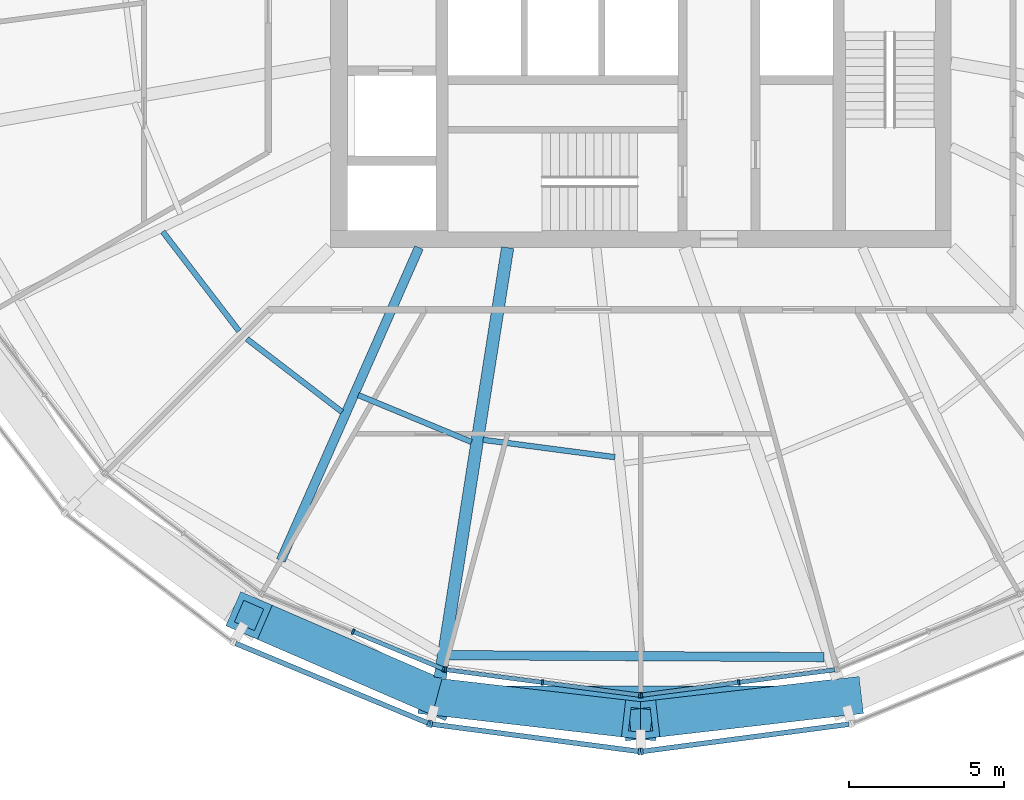
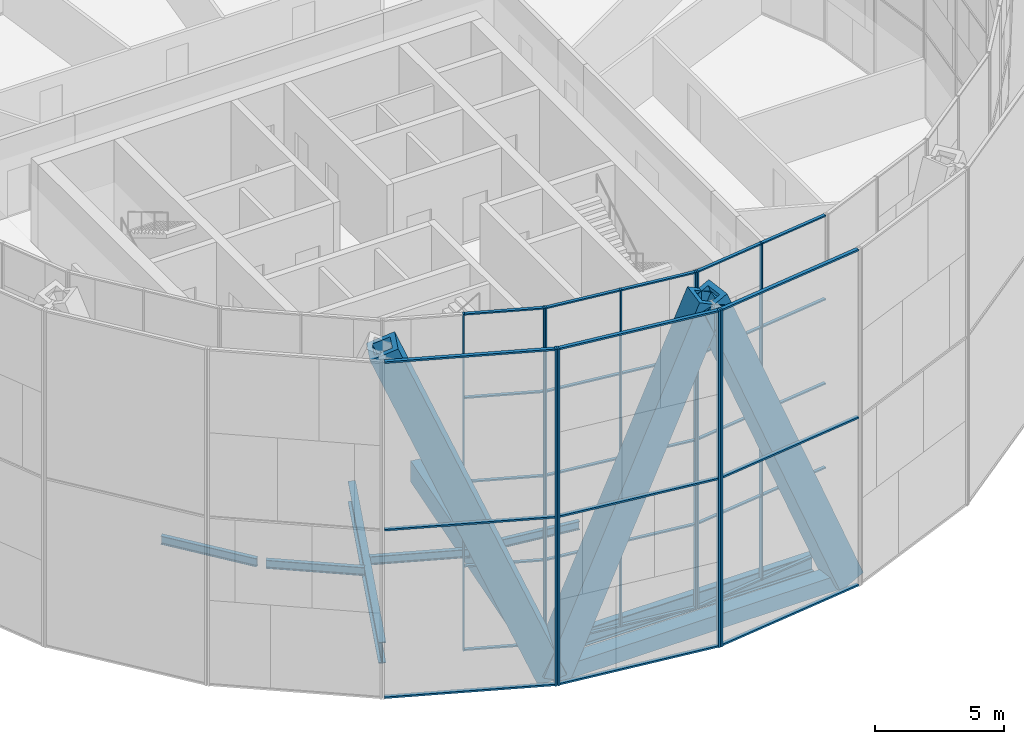
# One storey, part 2 of 28: 48 members, 8 beams, 6 elements without a shape of their own.
"""IFC4 building model written with IfcOpenShell, lengths in metres."""

from ifc_helpers import new_model, si_unit, direction, frame, origin, origin_2d, place, context, subcontext, project, spatial, rectangle, hollow_rectangle, i_section, extrude, material, material_profile, profile_set, type_object, element, aggregate, save


model = new_model("IFC4")

# Units and contexts
model_context = context("Model", 3, precision=1e-05, world=origin(), true_north=direction((0.0, 1.0)))
body_context = subcontext(model_context, "Body", "Model", "MODEL_VIEW")
ifc_project = project(units=[si_unit("LENGTHUNIT", "METRE"), si_unit("AREAUNIT", "SQUARE_METRE"), si_unit("VOLUMEUNIT", "CUBIC_METRE"), si_unit("PLANEANGLEUNIT", "RADIAN"), si_unit("MASSUNIT", "GRAM", prefix="KILO")], contexts=[model_context])

# Site, building, storey
site_placement = place(None, origin())
site = spatial("IfcSite", under=ifc_project, at=site_placement, CompositionType="ELEMENT")
building_placement = place(site_placement, origin())
building = spatial("IfcBuilding", under=site, at=building_placement, Name="Golbaran Civic Tower", CompositionType="ELEMENT")
storey_placement = place(building_placement, frame((0.0, 0.0, 134.0)))
storey = spatial("IfcBuildingStorey", under=building, at=storey_placement, Name="L32", CompositionType="ELEMENT", Elevation=134.0)

# Members
ifc_material_1 = material(Name="Steel S355", Category="steel")
ifc_material_profile_1 = material_profile(ifc_material_1, hollow_rectangle(XDim=1.199951171875, YDim=1.199951171875, WallThickness=0.219970703125, at=origin_2d()), Name="BOX 1200x1200x220")
ifc_profile_set_1 = profile_set([ifc_material_profile_1], Name="Steel S355")
member_type_1 = type_object("IfcMemberType", Name="DIAGRID DIAGONAL BOX 1200x1200x220", PredefinedType="BRACE", material=ifc_profile_set_1)
for number, where, z_axis, x_axis, name in (
    (1, (-6.55859375, -24.4765625, -0.7099609375), (0.37892043084, -0.043754138493, 0.92439433277), (0.114708322129, 0.993399215237, 0.0), "Diagonal D07-08R L32-L36"),
    (2, (-6.55859375, -24.4765625, -0.7099609375), (-0.350021010135, 0.151560578437, 0.924399634102), (-0.397353161289, -0.917665769882, 0.0), "Diagonal D07-08L L32-L36"),
    (3, (6.55859375, -24.4765625, -0.7099609375), (-0.37892043084, -0.043754138493, 0.92439433277), (0.114708322129, -0.993399215237, 0.0), "Diagonal D07-09L L32-L36"),
):
    element("IfcMember", number, at=place(storey_placement, frame(where, z_axis=z_axis, x_axis=x_axis)), inside=storey, type_object=member_type_1, Name=name, PredefinedType="BRACE", context=body_context, shape_type="SweptSolid", body=[
        extrude(hollow_rectangle(XDim=1.199951171875, YDim=1.199951171875, WallThickness=0.219970703125, at=origin_2d()), origin(), (0.0, 0.0, 1.0), 17.30859375),
    ])

# Beams
ifc_material_profile_2 = material_profile(ifc_material_1, hollow_rectangle(XDim=0.699951171875, YDim=0.699951171875, WallThickness=0.080078125, at=origin_2d()), Name="BOX 700x700x80")
ifc_profile_set_2 = profile_set([ifc_material_profile_2], Name="Steel S355")
beam_type_1 = type_object("IfcBeamType", Name="DIAGRID RING TIE BOX 700x700x80", PredefinedType="BEAM", material=ifc_profile_set_2)
beam_1_placement = place(storey_placement, frame((-6.55859375, -24.4765625, -0.7099609375), z_axis=(1.0, 0.0, 0.0), x_axis=(0.0, 1.0, 0.0)))
element("IfcBeam", 4, at=beam_1_placement, inside=storey, type_object=beam_type_1, Name="Ring tie 255.00 L32", PredefinedType="BEAM", context=body_context, shape_type="SweptSolid", body=[
    extrude(hollow_rectangle(XDim=0.699951171875, YDim=0.699951171875, WallThickness=0.080078125, at=origin_2d()), origin(), (0.0, 0.0, 1.0), 13.1171875),
])
ifc_material_profile_3 = material_profile(ifc_material_1, i_section(OverallWidth=0.300048828125, OverallDepth=0.800048828125, WebThickness=0.017578125, FlangeThickness=0.032958984375, FilletRadius=0.030029296875, at=origin_2d()), Name="HEB 800")
ifc_profile_set_3 = profile_set([ifc_material_profile_3], Name="Steel S355")
beam_type_2 = type_object("IfcBeamType", Name="EDGE BEAM HEB 800", PredefinedType="BEAM", material=ifc_profile_set_3)
beam_2_placement = place(storey_placement, frame((-6.165283203125, -23.1318359375, -0.60009765625), z_axis=(0.999986297287, -0.005235001233, 0.0), x_axis=(0.005235001233, 0.999986297287, 0.0)))
element("IfcBeam", 5, at=beam_2_placement, inside=storey, type_object=beam_type_2, Name="Edge beam 255.00 L32", PredefinedType="BEAM", context=body_context, shape_type="SweptSolid", body=[
    extrude(i_section(OverallWidth=0.300048828125, OverallDepth=0.800048828125, WebThickness=0.017578125, FlangeThickness=0.032958984375, FilletRadius=0.030029296875, at=origin_2d()), origin(), (0.0, 0.0, 1.0), 12.078857421875),
])
ifc_material_profile_4 = material_profile(ifc_material_1, i_section(OverallWidth=0.179931640625, OverallDepth=0.39990234375, WebThickness=0.008544921875, FlangeThickness=0.013427734375, FilletRadius=0.02099609375, at=origin_2d()), Name="IPE 400")
ifc_profile_set_4 = profile_set([ifc_material_profile_4], Name="Steel S355")
beam_type_3 = type_object("IfcBeamType", Name="FLOOR INFILL BEAM IPE 400", PredefinedType="BEAM", material=ifc_profile_set_4)
beam_3_placement = place(storey_placement, frame((-15.39697265625, -9.4873046875, -0.39990234375), z_axis=(0.608777144905, -0.793341280812, 0.0), x_axis=(0.793341280812, 0.608777144905, 0.0)))
element("IfcBeam", 6, at=beam_3_placement, inside=storey, type_object=beam_type_3, Name="Infill beam 217.50 L32", PredefinedType="BEAM", context=body_context, shape_type="SweptSolid", body=[
    extrude(i_section(OverallWidth=0.179931640625, OverallDepth=0.39990234375, WebThickness=0.008544921875, FlangeThickness=0.013427734375, FilletRadius=0.02099609375, at=origin_2d()), origin(), (0.0, 0.0, 1.0), 4.033203125),
])
beam_4_placement = place(storey_placement, frame((-12.687744140625, -12.942138671875, -0.39990234375), z_axis=(0.793370357991, -0.608739250469, 0.0), x_axis=(0.608739250469, 0.793370357991, 0.0)))
element("IfcBeam", 7, at=beam_4_placement, inside=storey, type_object=beam_type_3, Name="Infill beam 232.50 L32", PredefinedType="BEAM", context=body_context, shape_type="SweptSolid", body=[
    extrude(i_section(OverallWidth=0.179931640625, OverallDepth=0.39990234375, WebThickness=0.008544921875, FlangeThickness=0.013427734375, FilletRadius=0.02099609375, at=origin_2d()), origin(), (0.0, 0.0, 1.0), 3.86376953125),
])
beam_5_placement = place(storey_placement, frame((-9.0986328125, -14.75146484375, -0.39990234375), z_axis=(0.923887198212, -0.382664925203, 0.0), x_axis=(0.382664925203, 0.923887198212, 0.0)))
element("IfcBeam", 8, at=beam_5_placement, inside=storey, type_object=beam_type_3, Name="Infill beam 247.50 L32", PredefinedType="BEAM", context=body_context, shape_type="SweptSolid", body=[
    extrude(i_section(OverallWidth=0.179931640625, OverallDepth=0.39990234375, WebThickness=0.008544921875, FlangeThickness=0.013427734375, FilletRadius=0.02099609375, at=origin_2d()), origin(), (0.0, 0.0, 1.0), 3.947998046875),
])
beam_6_placement = place(storey_placement, frame((-5.075927734375, -16.193115234375, -0.39990234375), z_axis=(0.991440524294, -0.130559131381, 0.0), x_axis=(0.130559131381, 0.991440524294, 0.0)))
element("IfcBeam", 9, at=beam_6_placement, inside=storey, type_object=beam_type_3, Name="Infill beam 262.50 L32", PredefinedType="BEAM", context=body_context, shape_type="SweptSolid", body=[
    extrude(i_section(OverallWidth=0.179931640625, OverallDepth=0.39990234375, WebThickness=0.008544921875, FlangeThickness=0.013427734375, FilletRadius=0.02099609375, at=origin_2d()), origin(), (0.0, 0.0, 1.0), 4.285888671875),
])

# Curtain wall, members
ifc_material_2 = material(Name="Aluminium and glass", Category="aluminium")
curtain_wall_type_1 = type_object("IfcCurtainWallType", Name="INNER SKIN CURTAIN WALL", PredefinedType="NOTDEFINED", material=ifc_material_2)
curtain_wall_1_placement = place(storey_placement, origin())
curtain_wall_1 = element("IfcCurtainWall", 10, at=curtain_wall_1_placement, inside=storey, type_object=curtain_wall_type_1, Name="Inner skin L32 facet 17 CW1", ObjectType="INNER SKIN", PredefinedType="USERDEFINED")
ifc_material_3 = material(Name="Aluminium", Category="aluminium")
ifc_material_profile_5 = material_profile(ifc_material_3, rectangle(XDim=0.179931640625, YDim=0.06494140625, at=origin_2d()), Name="INNER SKIN CURTAIN WALL MULLION")
ifc_profile_set_5 = profile_set([ifc_material_profile_5], Name="Aluminium")
member_type_2 = type_object("IfcMemberType", Name="INNER SKIN CURTAIN WALL MULLION", PredefinedType="MULLION", material=ifc_profile_set_5)
member_1_placement = place(storey_placement, frame((-9.26708984375, -22.372802734375, 0.0), z_axis=(0.0, 0.0, 1.0), x_axis=(0.38268343243, 0.923879532485, 0.0)))
member_1 = element("IfcMember", 11, at=member_1_placement, type_object=member_type_2, Name="CW1 mullion 2", PredefinedType="MULLION", context=body_context, shape_type="SweptSolid", body=[
    extrude(rectangle(XDim=0.179931640625, YDim=0.06494140625, at=origin_2d()), origin(), (0.0, 0.0, 1.0), 16.0),
])
member_2_placement = place(storey_placement, frame((-6.3515625, -23.580322265625, 0.0), z_axis=(0.0, 0.0, 1.0), x_axis=(0.38268343243, 0.923879532485, 0.0)))
member_2 = element("IfcMember", 12, at=member_2_placement, type_object=member_type_2, Name="CW1 mullion 3", PredefinedType="MULLION", context=body_context, shape_type="SweptSolid", body=[
    extrude(rectangle(XDim=0.179931640625, YDim=0.06494140625, at=origin_2d()), origin(), (0.0, 0.0, 1.0), 16.0),
])

curtain_wall_2_placement = place(storey_placement, origin())
curtain_wall_2 = element("IfcCurtainWall", 13, at=curtain_wall_2_placement, inside=storey, type_object=curtain_wall_type_1, Name="Inner skin L32 facet 18 CW1", ObjectType="INNER SKIN", PredefinedType="USERDEFINED")
member_3_placement = place(storey_placement, frame((-6.28955078125, -23.596923828125, 0.0), z_axis=(0.0, 0.0, 1.0), x_axis=(0.130526192237, 0.991444861372, 0.0)))
member_3 = element("IfcMember", 14, at=member_3_placement, type_object=member_type_2, Name="CW1 mullion 1", PredefinedType="MULLION", context=body_context, shape_type="SweptSolid", body=[
    extrude(rectangle(XDim=0.179931640625, YDim=0.06494140625, at=origin_2d()), origin(), (0.0, 0.0, 1.0), 16.0),
])
member_4_placement = place(storey_placement, frame((-3.160888671875, -24.0087890625, 0.0), z_axis=(0.0, 0.0, 1.0), x_axis=(0.130526192237, 0.991444861372, 0.0)))
member_4 = element("IfcMember", 15, at=member_4_placement, type_object=member_type_2, Name="CW1 mullion 2", PredefinedType="MULLION", context=body_context, shape_type="SweptSolid", body=[
    extrude(rectangle(XDim=0.179931640625, YDim=0.06494140625, at=origin_2d()), origin(), (0.0, 0.0, 1.0), 16.0),
])
member_5_placement = place(storey_placement, frame((-0.0322265625, -24.420654296875, 0.0), z_axis=(0.0, 0.0, 1.0), x_axis=(0.130526192237, 0.991444861372, 0.0)))
member_5 = element("IfcMember", 16, at=member_5_placement, type_object=member_type_2, Name="CW1 mullion 3", PredefinedType="MULLION", context=body_context, shape_type="SweptSolid", body=[
    extrude(rectangle(XDim=0.179931640625, YDim=0.06494140625, at=origin_2d()), origin(), (0.0, 0.0, 1.0), 16.0),
])

curtain_wall_3_placement = place(storey_placement, origin())
curtain_wall_3 = element("IfcCurtainWall", 17, at=curtain_wall_3_placement, inside=storey, type_object=curtain_wall_type_1, Name="Inner skin L32 facet 19 CW1", ObjectType="INNER SKIN", PredefinedType="USERDEFINED")
member_6_placement = place(storey_placement, frame((0.0322265625, -24.420654296875, 0.0), z_axis=(0.0, 0.0, 1.0), x_axis=(-0.130526192237, 0.991444861372, 0.0)))
member_6 = element("IfcMember", 18, at=member_6_placement, type_object=member_type_2, Name="CW1 mullion 1", PredefinedType="MULLION", context=body_context, shape_type="SweptSolid", body=[
    extrude(rectangle(XDim=0.179931640625, YDim=0.06494140625, at=origin_2d()), origin(), (0.0, 0.0, 1.0), 16.0),
])
member_7_placement = place(storey_placement, frame((3.160888671875, -24.0087890625, 0.0), z_axis=(0.0, 0.0, 1.0), x_axis=(-0.130526192237, 0.991444861372, 0.0)))
member_7 = element("IfcMember", 19, at=member_7_placement, type_object=member_type_2, Name="CW1 mullion 2", PredefinedType="MULLION", context=body_context, shape_type="SweptSolid", body=[
    extrude(rectangle(XDim=0.179931640625, YDim=0.06494140625, at=origin_2d()), origin(), (0.0, 0.0, 1.0), 16.0),
])

# Member
ifc_material_profile_6 = material_profile(ifc_material_3, rectangle(XDim=0.139892578125, YDim=0.06494140625, at=origin_2d()), Name="INNER SKIN CURTAIN WALL TRANSOM")
ifc_profile_set_6 = profile_set([ifc_material_profile_6], Name="Aluminium")
member_type_3 = type_object("IfcMemberType", Name="INNER SKIN CURTAIN WALL TRANSOM", PredefinedType="USERDEFINED", material=ifc_profile_set_6)
member_8_placement = place(storey_placement, frame((-9.237060546875, -22.38525390625, 0.032470703125), z_axis=(0.923897456466, -0.382640157244, 0.0), x_axis=(0.382640157244, 0.923897456466, 0.0)))
member_8 = element("IfcMember", 20, at=member_8_placement, type_object=member_type_3, Name="CW1 transom 2.1", ObjectType="TRANSOM", PredefinedType="USERDEFINED", context=body_context, shape_type="SweptSolid", body=[
    extrude(rectangle(XDim=0.139892578125, YDim=0.06494140625, at=origin_2d()), origin(), (0.0, 0.0, 1.0), 3.090576171875),
])

member_9_placement = place(storey_placement, frame((-9.237060546875, -22.38525390625, 4.0), z_axis=(0.923897456466, -0.382640157244, 0.0), x_axis=(0.382640157244, 0.923897456466, 0.0)))
member_9 = element("IfcMember", 21, at=member_9_placement, type_object=member_type_3, Name="CW1 transom 2.2", ObjectType="TRANSOM", PredefinedType="USERDEFINED", context=body_context, shape_type="SweptSolid", body=[
    extrude(rectangle(XDim=0.139892578125, YDim=0.06494140625, at=origin_2d()), origin(), (0.0, 0.0, 1.0), 3.090576171875),
])

member_10_placement = place(storey_placement, frame((-9.237060546875, -22.38525390625, 8.0), z_axis=(0.923897456466, -0.382640157244, 0.0), x_axis=(0.382640157244, 0.923897456466, 0.0)))
member_10 = element("IfcMember", 22, at=member_10_placement, type_object=member_type_3, Name="CW1 transom 2.3", ObjectType="TRANSOM", PredefinedType="USERDEFINED", context=body_context, shape_type="SweptSolid", body=[
    extrude(rectangle(XDim=0.139892578125, YDim=0.06494140625, at=origin_2d()), origin(), (0.0, 0.0, 1.0), 3.090576171875),
])

member_11_placement = place(storey_placement, frame((-9.237060546875, -22.38525390625, 12.0), z_axis=(0.923897456466, -0.382640157244, 0.0), x_axis=(0.382640157244, 0.923897456466, 0.0)))
member_11 = element("IfcMember", 23, at=member_11_placement, type_object=member_type_3, Name="CW1 transom 2.4", ObjectType="TRANSOM", PredefinedType="USERDEFINED", context=body_context, shape_type="SweptSolid", body=[
    extrude(rectangle(XDim=0.139892578125, YDim=0.06494140625, at=origin_2d()), origin(), (0.0, 0.0, 1.0), 3.090576171875),
])

member_12_placement = place(storey_placement, frame((-9.237060546875, -22.38525390625, 15.967529296875), z_axis=(0.923897456466, -0.382640157244, 0.0), x_axis=(0.382640157244, 0.923897456466, 0.0)))
member_12 = element("IfcMember", 24, at=member_12_placement, type_object=member_type_3, Name="CW1 transom 2.5", ObjectType="TRANSOM", PredefinedType="USERDEFINED", context=body_context, shape_type="SweptSolid", body=[
    extrude(rectangle(XDim=0.139892578125, YDim=0.06494140625, at=origin_2d()), origin(), (0.0, 0.0, 1.0), 3.090576171875),
])

aggregate(curtain_wall_1, [member_1, member_2, member_8, member_9, member_10, member_11, member_12])

member_13_placement = place(storey_placement, frame((-6.25732421875, -23.601318359375, 0.032470703125), z_axis=(0.991448648373, -0.13049742388, 0.0), x_axis=(0.13049742388, 0.991448648373, 0.0)))
member_13 = element("IfcMember", 25, at=member_13_placement, type_object=member_type_3, Name="CW1 transom 1.1", ObjectType="TRANSOM", PredefinedType="USERDEFINED", context=body_context, shape_type="SweptSolid", body=[
    extrude(rectangle(XDim=0.139892578125, YDim=0.06494140625, at=origin_2d()), origin(), (0.0, 0.0, 1.0), 3.090576171875),
])

member_14_placement = place(storey_placement, frame((-6.25732421875, -23.601318359375, 4.0), z_axis=(0.991448648373, -0.13049742388, 0.0), x_axis=(0.13049742388, 0.991448648373, 0.0)))
member_14 = element("IfcMember", 26, at=member_14_placement, type_object=member_type_3, Name="CW1 transom 1.2", ObjectType="TRANSOM", PredefinedType="USERDEFINED", context=body_context, shape_type="SweptSolid", body=[
    extrude(rectangle(XDim=0.139892578125, YDim=0.06494140625, at=origin_2d()), origin(), (0.0, 0.0, 1.0), 3.090576171875),
])

member_15_placement = place(storey_placement, frame((-6.25732421875, -23.601318359375, 8.0), z_axis=(0.991448648373, -0.13049742388, 0.0), x_axis=(0.13049742388, 0.991448648373, 0.0)))
member_15 = element("IfcMember", 27, at=member_15_placement, type_object=member_type_3, Name="CW1 transom 1.3", ObjectType="TRANSOM", PredefinedType="USERDEFINED", context=body_context, shape_type="SweptSolid", body=[
    extrude(rectangle(XDim=0.139892578125, YDim=0.06494140625, at=origin_2d()), origin(), (0.0, 0.0, 1.0), 3.090576171875),
])

member_16_placement = place(storey_placement, frame((-6.25732421875, -23.601318359375, 12.0), z_axis=(0.991448648373, -0.13049742388, 0.0), x_axis=(0.13049742388, 0.991448648373, 0.0)))
member_16 = element("IfcMember", 28, at=member_16_placement, type_object=member_type_3, Name="CW1 transom 1.4", ObjectType="TRANSOM", PredefinedType="USERDEFINED", context=body_context, shape_type="SweptSolid", body=[
    extrude(rectangle(XDim=0.139892578125, YDim=0.06494140625, at=origin_2d()), origin(), (0.0, 0.0, 1.0), 3.090576171875),
])

member_17_placement = place(storey_placement, frame((-6.25732421875, -23.601318359375, 15.967529296875), z_axis=(0.991448648373, -0.13049742388, 0.0), x_axis=(0.13049742388, 0.991448648373, 0.0)))
member_17 = element("IfcMember", 29, at=member_17_placement, type_object=member_type_3, Name="CW1 transom 1.5", ObjectType="TRANSOM", PredefinedType="USERDEFINED", context=body_context, shape_type="SweptSolid", body=[
    extrude(rectangle(XDim=0.139892578125, YDim=0.06494140625, at=origin_2d()), origin(), (0.0, 0.0, 1.0), 3.090576171875),
])

member_18_placement = place(storey_placement, frame((-3.128662109375, -24.01318359375, 0.032470703125), z_axis=(0.991448648373, -0.13049742388, 0.0), x_axis=(0.13049742388, 0.991448648373, 0.0)))
member_18 = element("IfcMember", 30, at=member_18_placement, type_object=member_type_3, Name="CW1 transom 2.1", ObjectType="TRANSOM", PredefinedType="USERDEFINED", context=body_context, shape_type="SweptSolid", body=[
    extrude(rectangle(XDim=0.139892578125, YDim=0.06494140625, at=origin_2d()), origin(), (0.0, 0.0, 1.0), 3.090576171875),
])

member_19_placement = place(storey_placement, frame((-3.128662109375, -24.01318359375, 4.0), z_axis=(0.991448648373, -0.13049742388, 0.0), x_axis=(0.13049742388, 0.991448648373, 0.0)))
member_19 = element("IfcMember", 31, at=member_19_placement, type_object=member_type_3, Name="CW1 transom 2.2", ObjectType="TRANSOM", PredefinedType="USERDEFINED", context=body_context, shape_type="SweptSolid", body=[
    extrude(rectangle(XDim=0.139892578125, YDim=0.06494140625, at=origin_2d()), origin(), (0.0, 0.0, 1.0), 3.090576171875),
])

member_20_placement = place(storey_placement, frame((-3.128662109375, -24.01318359375, 8.0), z_axis=(0.991448648373, -0.13049742388, 0.0), x_axis=(0.13049742388, 0.991448648373, 0.0)))
member_20 = element("IfcMember", 32, at=member_20_placement, type_object=member_type_3, Name="CW1 transom 2.3", ObjectType="TRANSOM", PredefinedType="USERDEFINED", context=body_context, shape_type="SweptSolid", body=[
    extrude(rectangle(XDim=0.139892578125, YDim=0.06494140625, at=origin_2d()), origin(), (0.0, 0.0, 1.0), 3.090576171875),
])

member_21_placement = place(storey_placement, frame((-3.128662109375, -24.01318359375, 12.0), z_axis=(0.991448648373, -0.13049742388, 0.0), x_axis=(0.13049742388, 0.991448648373, 0.0)))
member_21 = element("IfcMember", 33, at=member_21_placement, type_object=member_type_3, Name="CW1 transom 2.4", ObjectType="TRANSOM", PredefinedType="USERDEFINED", context=body_context, shape_type="SweptSolid", body=[
    extrude(rectangle(XDim=0.139892578125, YDim=0.06494140625, at=origin_2d()), origin(), (0.0, 0.0, 1.0), 3.090576171875),
])

member_22_placement = place(storey_placement, frame((-3.128662109375, -24.01318359375, 15.967529296875), z_axis=(0.991448648373, -0.13049742388, 0.0), x_axis=(0.13049742388, 0.991448648373, 0.0)))
member_22 = element("IfcMember", 34, at=member_22_placement, type_object=member_type_3, Name="CW1 transom 2.5", ObjectType="TRANSOM", PredefinedType="USERDEFINED", context=body_context, shape_type="SweptSolid", body=[
    extrude(rectangle(XDim=0.139892578125, YDim=0.06494140625, at=origin_2d()), origin(), (0.0, 0.0, 1.0), 3.090576171875),
])

aggregate(curtain_wall_2, [member_3, member_4, member_5, member_13, member_14, member_15, member_16, member_17, member_18, member_19, member_20, member_21, member_22])

member_23_placement = place(storey_placement, frame((0.064453125, -24.41650390625, 0.032470703125), z_axis=(0.991448648373, 0.13049742388, 0.0), x_axis=(-0.13049742388, 0.991448648373, 0.0)))
member_23 = element("IfcMember", 35, at=member_23_placement, type_object=member_type_3, Name="CW1 transom 1.1", ObjectType="TRANSOM", PredefinedType="USERDEFINED", context=body_context, shape_type="SweptSolid", body=[
    extrude(rectangle(XDim=0.139892578125, YDim=0.06494140625, at=origin_2d()), origin(), (0.0, 0.0, 1.0), 3.090576171875),
])

member_24_placement = place(storey_placement, frame((0.064453125, -24.41650390625, 4.0), z_axis=(0.991448648373, 0.13049742388, 0.0), x_axis=(-0.13049742388, 0.991448648373, 0.0)))
member_24 = element("IfcMember", 36, at=member_24_placement, type_object=member_type_3, Name="CW1 transom 1.2", ObjectType="TRANSOM", PredefinedType="USERDEFINED", context=body_context, shape_type="SweptSolid", body=[
    extrude(rectangle(XDim=0.139892578125, YDim=0.06494140625, at=origin_2d()), origin(), (0.0, 0.0, 1.0), 3.090576171875),
])

member_25_placement = place(storey_placement, frame((0.064453125, -24.41650390625, 8.0), z_axis=(0.991448648373, 0.13049742388, 0.0), x_axis=(-0.13049742388, 0.991448648373, 0.0)))
member_25 = element("IfcMember", 37, at=member_25_placement, type_object=member_type_3, Name="CW1 transom 1.3", ObjectType="TRANSOM", PredefinedType="USERDEFINED", context=body_context, shape_type="SweptSolid", body=[
    extrude(rectangle(XDim=0.139892578125, YDim=0.06494140625, at=origin_2d()), origin(), (0.0, 0.0, 1.0), 3.090576171875),
])

member_26_placement = place(storey_placement, frame((0.064453125, -24.41650390625, 12.0), z_axis=(0.991448648373, 0.13049742388, 0.0), x_axis=(-0.13049742388, 0.991448648373, 0.0)))
member_26 = element("IfcMember", 38, at=member_26_placement, type_object=member_type_3, Name="CW1 transom 1.4", ObjectType="TRANSOM", PredefinedType="USERDEFINED", context=body_context, shape_type="SweptSolid", body=[
    extrude(rectangle(XDim=0.139892578125, YDim=0.06494140625, at=origin_2d()), origin(), (0.0, 0.0, 1.0), 3.090576171875),
])

member_27_placement = place(storey_placement, frame((0.064453125, -24.41650390625, 15.967529296875), z_axis=(0.991448648373, 0.13049742388, 0.0), x_axis=(-0.13049742388, 0.991448648373, 0.0)))
member_27 = element("IfcMember", 39, at=member_27_placement, type_object=member_type_3, Name="CW1 transom 1.5", ObjectType="TRANSOM", PredefinedType="USERDEFINED", context=body_context, shape_type="SweptSolid", body=[
    extrude(rectangle(XDim=0.139892578125, YDim=0.06494140625, at=origin_2d()), origin(), (0.0, 0.0, 1.0), 3.090576171875),
])

member_28_placement = place(storey_placement, frame((3.193115234375, -24.004638671875, 0.032470703125), z_axis=(0.991448648373, 0.13049742388, 0.0), x_axis=(-0.13049742388, 0.991448648373, 0.0)))
member_28 = element("IfcMember", 40, at=member_28_placement, type_object=member_type_3, Name="CW1 transom 2.1", ObjectType="TRANSOM", PredefinedType="USERDEFINED", context=body_context, shape_type="SweptSolid", body=[
    extrude(rectangle(XDim=0.139892578125, YDim=0.06494140625, at=origin_2d()), origin(), (0.0, 0.0, 1.0), 3.090576171875),
])

member_29_placement = place(storey_placement, frame((3.193115234375, -24.004638671875, 4.0), z_axis=(0.991448648373, 0.13049742388, 0.0), x_axis=(-0.13049742388, 0.991448648373, 0.0)))
member_29 = element("IfcMember", 41, at=member_29_placement, type_object=member_type_3, Name="CW1 transom 2.2", ObjectType="TRANSOM", PredefinedType="USERDEFINED", context=body_context, shape_type="SweptSolid", body=[
    extrude(rectangle(XDim=0.139892578125, YDim=0.06494140625, at=origin_2d()), origin(), (0.0, 0.0, 1.0), 3.090576171875),
])

member_30_placement = place(storey_placement, frame((3.193115234375, -24.004638671875, 8.0), z_axis=(0.991448648373, 0.13049742388, 0.0), x_axis=(-0.13049742388, 0.991448648373, 0.0)))
member_30 = element("IfcMember", 42, at=member_30_placement, type_object=member_type_3, Name="CW1 transom 2.3", ObjectType="TRANSOM", PredefinedType="USERDEFINED", context=body_context, shape_type="SweptSolid", body=[
    extrude(rectangle(XDim=0.139892578125, YDim=0.06494140625, at=origin_2d()), origin(), (0.0, 0.0, 1.0), 3.090576171875),
])

member_31_placement = place(storey_placement, frame((3.193115234375, -24.004638671875, 12.0), z_axis=(0.991448648373, 0.13049742388, 0.0), x_axis=(-0.13049742388, 0.991448648373, 0.0)))
member_31 = element("IfcMember", 43, at=member_31_placement, type_object=member_type_3, Name="CW1 transom 2.4", ObjectType="TRANSOM", PredefinedType="USERDEFINED", context=body_context, shape_type="SweptSolid", body=[
    extrude(rectangle(XDim=0.139892578125, YDim=0.06494140625, at=origin_2d()), origin(), (0.0, 0.0, 1.0), 3.090576171875),
])

member_32_placement = place(storey_placement, frame((3.193115234375, -24.004638671875, 15.967529296875), z_axis=(0.991448648373, 0.13049742388, 0.0), x_axis=(-0.13049742388, 0.991448648373, 0.0)))
member_32 = element("IfcMember", 44, at=member_32_placement, type_object=member_type_3, Name="CW1 transom 2.5", ObjectType="TRANSOM", PredefinedType="USERDEFINED", context=body_context, shape_type="SweptSolid", body=[
    extrude(rectangle(XDim=0.139892578125, YDim=0.06494140625, at=origin_2d()), origin(), (0.0, 0.0, 1.0), 3.090576171875),
])

aggregate(curtain_wall_3, [member_6, member_7, member_23, member_24, member_25, member_26, member_27, member_28, member_29, member_30, member_31, member_32])

# Curtain wall, member
curtain_wall_type_2 = type_object("IfcCurtainWallType", Name="OUTER SKIN TERRACOTTA SCREEN", PredefinedType="NOTDEFINED", material=ifc_material_2)
curtain_wall_4_placement = place(storey_placement, origin())
curtain_wall_4 = element("IfcCurtainWall", 45, at=curtain_wall_4_placement, inside=storey, type_object=curtain_wall_type_2, Name="Outer skin L32 facet 17 CW3", ObjectType="OUTER SKIN", PredefinedType="USERDEFINED")
ifc_material_profile_7 = material_profile(ifc_material_3, rectangle(XDim=0.219970703125, YDim=0.080078125, at=origin_2d()), Name="OUTER SKIN TERRACOTTA SCREEN MULLION")
ifc_profile_set_7 = profile_set([ifc_material_profile_7], Name="Aluminium")
member_type_4 = type_object("IfcMemberType", Name="OUTER SKIN TERRACOTTA SCREEN MULLION", PredefinedType="MULLION", material=ifc_profile_set_7)
member_33_placement = place(storey_placement, frame((-6.828369140625, -25.33056640625, -0.7099609375), z_axis=(0.0, 0.0, 1.0), x_axis=(0.382683432397, 0.923879532498, 0.0)))
member_33 = element("IfcMember", 46, at=member_33_placement, type_object=member_type_4, Name="CW3 mullion 2", PredefinedType="MULLION", context=body_context, shape_type="SweptSolid", body=[
    extrude(rectangle(XDim=0.219970703125, YDim=0.080078125, at=origin_2d()), origin(), (0.0, 0.0, 1.0), 16.0),
])

# Curtain wall, members
curtain_wall_5_placement = place(storey_placement, origin())
curtain_wall_5 = element("IfcCurtainWall", 47, at=curtain_wall_5_placement, inside=storey, type_object=curtain_wall_type_2, Name="Outer skin L32 facet 18 CW3", ObjectType="OUTER SKIN", PredefinedType="USERDEFINED")
member_34_placement = place(storey_placement, frame((-6.751708984375, -25.35107421875, -0.7099609375), z_axis=(0.0, 0.0, 1.0), x_axis=(0.130526192203, 0.991444861376, 0.0)))
member_34 = element("IfcMember", 48, at=member_34_placement, type_object=member_type_4, Name="CW3 mullion 1", PredefinedType="MULLION", context=body_context, shape_type="SweptSolid", body=[
    extrude(rectangle(XDim=0.219970703125, YDim=0.080078125, at=origin_2d()), origin(), (0.0, 0.0, 1.0), 16.0),
])
member_35_placement = place(storey_placement, frame((-0.03955078125, -26.23486328125, -0.7099609375), z_axis=(0.0, 0.0, 1.0), x_axis=(0.130526192203, 0.991444861376, 0.0)))
member_35 = element("IfcMember", 49, at=member_35_placement, type_object=member_type_4, Name="CW3 mullion 2", PredefinedType="MULLION", context=body_context, shape_type="SweptSolid", body=[
    extrude(rectangle(XDim=0.219970703125, YDim=0.080078125, at=origin_2d()), origin(), (0.0, 0.0, 1.0), 16.0),
])

# Curtain wall, member
curtain_wall_6_placement = place(storey_placement, origin())
curtain_wall_6 = element("IfcCurtainWall", 50, at=curtain_wall_6_placement, inside=storey, type_object=curtain_wall_type_2, Name="Outer skin L32 facet 19 CW3", ObjectType="OUTER SKIN", PredefinedType="USERDEFINED")
member_36_placement = place(storey_placement, frame((0.03955078125, -26.23486328125, -0.7099609375), z_axis=(0.0, 0.0, 1.0), x_axis=(-0.130526192203, 0.991444861376, 0.0)))
member_36 = element("IfcMember", 51, at=member_36_placement, type_object=member_type_4, Name="CW3 mullion 1", PredefinedType="MULLION", context=body_context, shape_type="SweptSolid", body=[
    extrude(rectangle(XDim=0.219970703125, YDim=0.080078125, at=origin_2d()), origin(), (0.0, 0.0, 1.0), 16.0),
])

# Member
ifc_material_profile_8 = material_profile(ifc_material_3, rectangle(XDim=0.159912109375, YDim=0.080078125, at=origin_2d()), Name="OUTER SKIN TERRACOTTA SCREEN TRANSOM")
ifc_profile_set_8 = profile_set([ifc_material_profile_8], Name="Aluminium")
member_type_5 = type_object("IfcMemberType", Name="OUTER SKIN TERRACOTTA SCREEN TRANSOM", PredefinedType="USERDEFINED", material=ifc_profile_set_8)
member_37_placement = place(storey_placement, frame((-13.046142578125, -22.755126953125, -0.669921875), z_axis=(0.923887851064, -0.382663348985, 0.0), x_axis=(0.382663348985, 0.923887851064, 0.0)))
member_37 = element("IfcMember", 52, at=member_37_placement, type_object=member_type_5, Name="CW3 transom 1.1", ObjectType="TRANSOM", PredefinedType="USERDEFINED", context=body_context, shape_type="SweptSolid", body=[
    extrude(rectangle(XDim=0.159912109375, YDim=0.080078125, at=origin_2d()), origin(), (0.0, 0.0, 1.0), 6.690185546875),
])

member_38_placement = place(storey_placement, frame((-13.046142578125, -22.755126953125, 7.2900390625), z_axis=(0.923887851064, -0.382663348985, 0.0), x_axis=(0.382663348985, 0.923887851064, 0.0)))
member_38 = element("IfcMember", 53, at=member_38_placement, type_object=member_type_5, Name="CW3 transom 1.2", ObjectType="TRANSOM", PredefinedType="USERDEFINED", context=body_context, shape_type="SweptSolid", body=[
    extrude(rectangle(XDim=0.159912109375, YDim=0.080078125, at=origin_2d()), origin(), (0.0, 0.0, 1.0), 6.690185546875),
])

member_39_placement = place(storey_placement, frame((-13.046142578125, -22.755126953125, 15.25), z_axis=(0.923887851064, -0.382663348985, 0.0), x_axis=(0.382663348985, 0.923887851064, 0.0)))
member_39 = element("IfcMember", 54, at=member_39_placement, type_object=member_type_5, Name="CW3 transom 1.3", ObjectType="TRANSOM", PredefinedType="USERDEFINED", context=body_context, shape_type="SweptSolid", body=[
    extrude(rectangle(XDim=0.159912109375, YDim=0.080078125, at=origin_2d()), origin(), (0.0, 0.0, 1.0), 6.690185546875),
])

aggregate(curtain_wall_4, [member_33, member_37, member_38, member_39])

member_40_placement = place(storey_placement, frame((-6.712158203125, -25.3564453125, -0.669921875), z_axis=(0.991448332371, -0.130499824667, 0.0), x_axis=(0.130499824667, 0.991448332371, 0.0)))
member_40 = element("IfcMember", 55, at=member_40_placement, type_object=member_type_5, Name="CW3 transom 1.1", ObjectType="TRANSOM", PredefinedType="USERDEFINED", context=body_context, shape_type="SweptSolid", body=[
    extrude(rectangle(XDim=0.159912109375, YDim=0.080078125, at=origin_2d()), origin(), (0.0, 0.0, 1.0), 6.68994140625),
])

member_41_placement = place(storey_placement, frame((-6.712158203125, -25.3564453125, 7.2900390625), z_axis=(0.991448332371, -0.130499824667, 0.0), x_axis=(0.130499824667, 0.991448332371, 0.0)))
member_41 = element("IfcMember", 56, at=member_41_placement, type_object=member_type_5, Name="CW3 transom 1.2", ObjectType="TRANSOM", PredefinedType="USERDEFINED", context=body_context, shape_type="SweptSolid", body=[
    extrude(rectangle(XDim=0.159912109375, YDim=0.080078125, at=origin_2d()), origin(), (0.0, 0.0, 1.0), 6.68994140625),
])

member_42_placement = place(storey_placement, frame((-6.712158203125, -25.3564453125, 15.25), z_axis=(0.991448332371, -0.130499824667, 0.0), x_axis=(0.130499824667, 0.991448332371, 0.0)))
member_42 = element("IfcMember", 57, at=member_42_placement, type_object=member_type_5, Name="CW3 transom 1.3", ObjectType="TRANSOM", PredefinedType="USERDEFINED", context=body_context, shape_type="SweptSolid", body=[
    extrude(rectangle(XDim=0.159912109375, YDim=0.080078125, at=origin_2d()), origin(), (0.0, 0.0, 1.0), 6.68994140625),
])

aggregate(curtain_wall_5, [member_34, member_35, member_40, member_41, member_42])

member_43_placement = place(storey_placement, frame((0.079345703125, -26.2294921875, -0.669921875), z_axis=(0.991448332371, 0.130499824667, 0.0), x_axis=(-0.130499824667, 0.991448332371, 0.0)))
member_43 = element("IfcMember", 58, at=member_43_placement, type_object=member_type_5, Name="CW3 transom 1.1", ObjectType="TRANSOM", PredefinedType="USERDEFINED", context=body_context, shape_type="SweptSolid", body=[
    extrude(rectangle(XDim=0.159912109375, YDim=0.080078125, at=origin_2d()), origin(), (0.0, 0.0, 1.0), 6.68994140625),
])

member_44_placement = place(storey_placement, frame((0.079345703125, -26.2294921875, 7.2900390625), z_axis=(0.991448332371, 0.130499824667, 0.0), x_axis=(-0.130499824667, 0.991448332371, 0.0)))
member_44 = element("IfcMember", 59, at=member_44_placement, type_object=member_type_5, Name="CW3 transom 1.2", ObjectType="TRANSOM", PredefinedType="USERDEFINED", context=body_context, shape_type="SweptSolid", body=[
    extrude(rectangle(XDim=0.159912109375, YDim=0.080078125, at=origin_2d()), origin(), (0.0, 0.0, 1.0), 6.68994140625),
])

member_45_placement = place(storey_placement, frame((0.079345703125, -26.2294921875, 15.25), z_axis=(0.991448332371, 0.130499824667, 0.0), x_axis=(-0.130499824667, 0.991448332371, 0.0)))
member_45 = element("IfcMember", 60, at=member_45_placement, type_object=member_type_5, Name="CW3 transom 1.3", ObjectType="TRANSOM", PredefinedType="USERDEFINED", context=body_context, shape_type="SweptSolid", body=[
    extrude(rectangle(XDim=0.159912109375, YDim=0.080078125, at=origin_2d()), origin(), (0.0, 0.0, 1.0), 6.68994140625),
])

aggregate(curtain_wall_6, [member_36, member_43, member_44, member_45])

# Beams
ifc_material_profile_9 = material_profile(ifc_material_1, hollow_rectangle(XDim=0.39990234375, YDim=1.0, WallThickness=0.0400390625, at=origin_2d()), Name="BOX 1000x400x40")
ifc_profile_set_9 = profile_set([ifc_material_profile_9], Name="Steel S355")
beam_type_4 = type_object("IfcBeamType", Name="RADIAL FLOOR BEAM BOX 1000x400x40", PredefinedType="BEAM", material=ifc_profile_set_9)
beam_7_placement = place(storey_placement, frame((-4.28564453125, -10.0, -0.7099609375), z_axis=(-0.155104926794, -0.98789800166, 0.0), x_axis=(0.98789800166, -0.155104926794, 0.0)))
element("IfcBeam", 61, at=beam_7_placement, inside=storey, type_object=beam_type_4, Name="Radial beam 255.00 L32", PredefinedType="BEAM", context=body_context, shape_type="SweptSolid", body=[
    extrude(hollow_rectangle(XDim=0.39990234375, YDim=1.0, WallThickness=0.0400390625, at=origin_2d()), origin(), (0.0, 0.0, 1.0), 14.0341796875),
])
ifc_material_profile_10 = material_profile(ifc_material_1, i_section(OverallWidth=0.300048828125, OverallDepth=1.0, WebThickness=0.01904296875, FlangeThickness=0.035888671875, FilletRadius=0.030029296875, at=origin_2d()), Name="HEB 1000")
ifc_profile_set_10 = profile_set([ifc_material_profile_10], Name="Steel S355")
beam_type_5 = type_object("IfcBeamType", Name="SECONDARY FLOOR BEAM HEB 1000", PredefinedType="BEAM", material=ifc_profile_set_10)
beam_8_placement = place(storey_placement, frame((-7.142822265625, -10.0, -0.7099609375), z_axis=(-0.403906915143, -0.914800089582, 0.0), x_axis=(0.914800089582, -0.403906915143, 0.0)))
element("IfcBeam", 62, at=beam_8_placement, inside=storey, type_object=beam_type_5, Name="Secondary beam 240.00 L32", PredefinedType="BEAM", context=body_context, shape_type="SweptSolid", body=[
    extrude(i_section(OverallWidth=0.300048828125, OverallDepth=1.0, WebThickness=0.01904296875, FlangeThickness=0.035888671875, FilletRadius=0.030029296875, at=origin_2d()), origin(), (0.0, 0.0, 1.0), 11.019775390625),
])

save(model, "model.ifc")
